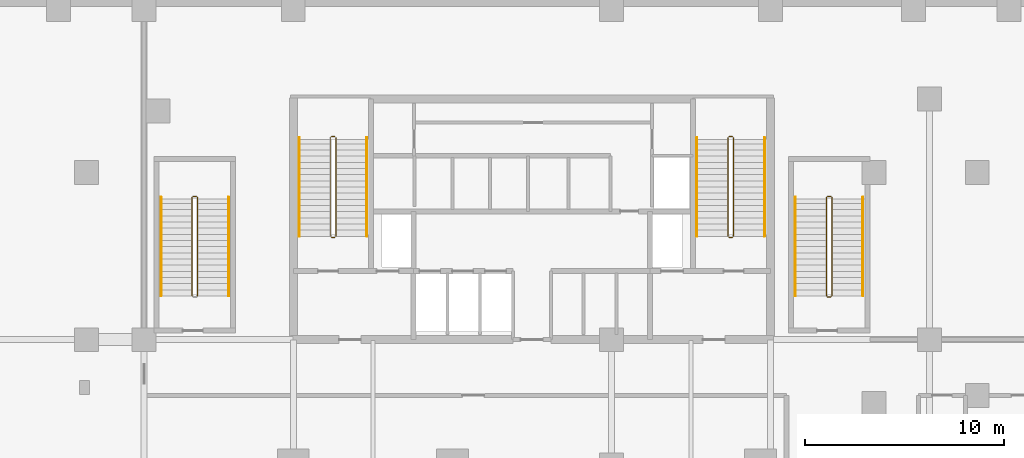
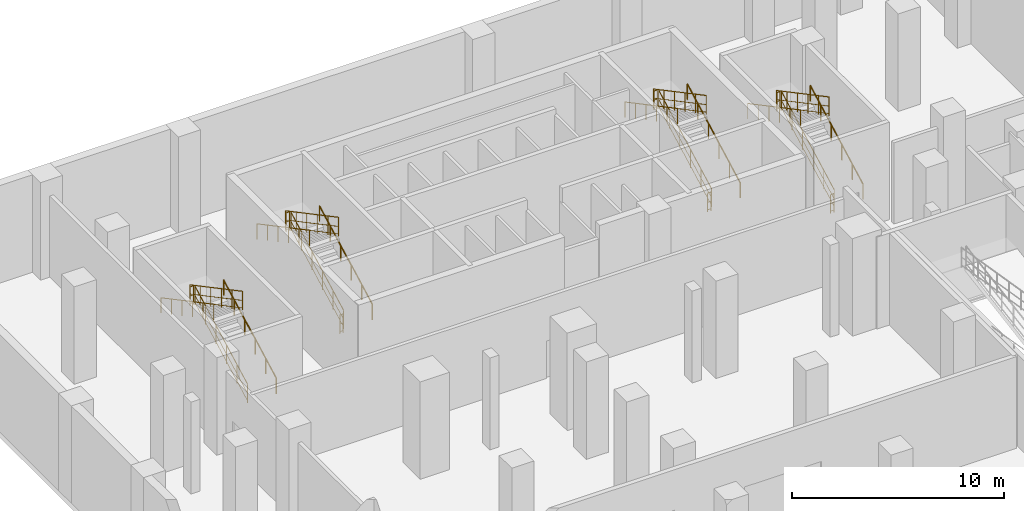
# One storey, part 5 of 5: 23 railings.
"""IFC4 building model written with IfcOpenShell, lengths in metres."""

from ifc_helpers import new_model, si_unit, direction, frame, origin, origin_2d, place, context, subcontext, project, spatial, circle, extrude, material, type_object, element, save


model = new_model("IFC4")

# Units and contexts
model_context = context("Model", 3, precision=1e-05, world=origin(), true_north=direction((0.0, 1.0)))
body_context = subcontext(model_context, "Body", "Model", "MODEL_VIEW")
ifc_project = project(units=[si_unit("LENGTHUNIT", "METRE"), si_unit("AREAUNIT", "SQUARE_METRE"), si_unit("VOLUMEUNIT", "CUBIC_METRE"), si_unit("PLANEANGLEUNIT", "RADIAN"), si_unit("MASSUNIT", "GRAM", prefix="KILO")], contexts=[model_context])

# Site, building, storey
site_placement = place(None, origin())
site = spatial("IfcSite", under=ifc_project, at=site_placement, CompositionType="ELEMENT")
building_placement = place(site_placement, origin())
building = spatial("IfcBuilding", under=site, at=building_placement, Name="Catumbela Crestline Tower", CompositionType="ELEMENT")
storey_placement = place(building_placement, frame((0.0, 0.0, -5.6)))
storey = spatial("IfcBuildingStorey", under=building, at=storey_placement, Name="B01", CompositionType="ELEMENT", Elevation=-5.6)

# Railings
ifc_material = material(Name="Stainless steel EN 1.4401", Category="steel")
railing_type_1 = type_object("IfcRailingType", Name="RG-1100", PredefinedType="GUARDRAIL", material=ifc_material)
railing_1_placement = place(storey_placement, frame((18.14, 36.0, 0.1647)))
element("IfcRailing", 1, at=railing_1_placement, inside=storey, type_object=railing_type_1, Name="B01 ST-01 stair guard 1", PredefinedType="GUARDRAIL", context=body_context, shape_type="SweptSolid", body=[
    extrude(circle(Radius=0.024, at=origin_2d()), frame((0.0, 0.0, 1.076), z_axis=(0.0, 0.883093588522, 0.469196881821), x_axis=(-1.0, 0.0, 0.0)), (0.0, 0.0, 1.0), 5.6166),
    extrude(circle(Radius=0.0156, at=origin_2d()), frame((0.0, 0.0, 0.55), z_axis=(0.0, 0.883093588522, 0.469196881821), x_axis=(-1.0, 0.0, 0.0)), (0.0, 0.0, 1.0), 5.6166),
    extrude(circle(Radius=0.0156, at=origin_2d()), frame((0.0, 0.0, 0.12), z_axis=(0.0, 0.883093588522, 0.469196881821), x_axis=(-1.0, 0.0, 0.0)), (0.0, 0.0, 1.0), 5.6166),
    extrude(circle(Radius=0.021, at=origin_2d()), origin(), (0.0, 0.0, 1.0), 1.052),
    extrude(circle(Radius=0.021, at=origin_2d()), frame((0.0, 0.992, 0.5271)), (0.0, 0.0, 1.0), 1.052),
    extrude(circle(Radius=0.021, at=origin_2d()), frame((0.0, 1.984, 1.0541)), (0.0, 0.0, 1.0), 1.052),
    extrude(circle(Radius=0.021, at=origin_2d()), frame((0.0, 2.976, 1.5812)), (0.0, 0.0, 1.0), 1.052),
    extrude(circle(Radius=0.021, at=origin_2d()), frame((0.0, 3.968, 2.1082)), (0.0, 0.0, 1.0), 1.052),
    extrude(circle(Radius=0.021, at=origin_2d()), frame((0.0, 4.96, 2.6353)), (0.0, 0.0, 1.0), 1.052),
])
railing_2_placement = place(storey_placement, frame((18.09, 41.01, 2.8)))
element("IfcRailing", 2, at=railing_2_placement, inside=storey, type_object=railing_type_1, Name="B01 ST-01 stair guard 2", PredefinedType="GUARDRAIL", context=body_context, shape_type="SweptSolid", body=[
    extrude(circle(Radius=0.024, at=origin_2d()), frame((0.0, 0.0, 1.076), z_axis=(-1.0, 0.0, 0.0), x_axis=(0.0, -1.0, 0.0)), (0.0, 0.0, 1.0), 0.18),
    extrude(circle(Radius=0.0156, at=origin_2d()), frame((0.0, 0.0, 0.55), z_axis=(-1.0, 0.0, 0.0), x_axis=(0.0, -1.0, 0.0)), (0.0, 0.0, 1.0), 0.18),
    extrude(circle(Radius=0.0156, at=origin_2d()), frame((0.0, 0.0, 0.12), z_axis=(-1.0, 0.0, 0.0), x_axis=(0.0, -1.0, 0.0)), (0.0, 0.0, 1.0), 0.18),
    extrude(circle(Radius=0.021, at=origin_2d()), origin(), (0.0, 0.0, 1.0), 1.052),
    extrude(circle(Radius=0.021, at=origin_2d()), frame((-0.18, 0.0, 0.0)), (0.0, 0.0, 1.0), 1.052),
])
railing_3_placement = place(storey_placement, frame((17.86, 40.96, 2.9647)))
element("IfcRailing", 3, at=railing_3_placement, inside=storey, type_object=railing_type_1, Name="B01 ST-01 stair guard 3", PredefinedType="GUARDRAIL", context=body_context, shape_type="SweptSolid", body=[
    extrude(circle(Radius=0.024, at=origin_2d()), frame((0.0, 0.0, 1.076), z_axis=(0.0, -0.883093588522, 0.469196881821), x_axis=(1.0, 0.0, 0.0)), (0.0, 0.0, 1.0), 5.6166),
    extrude(circle(Radius=0.0156, at=origin_2d()), frame((0.0, 0.0, 0.55), z_axis=(0.0, -0.883093588522, 0.469196881821), x_axis=(1.0, 0.0, 0.0)), (0.0, 0.0, 1.0), 5.6166),
    extrude(circle(Radius=0.0156, at=origin_2d()), frame((0.0, 0.0, 0.12), z_axis=(0.0, -0.883093588522, 0.469196881821), x_axis=(1.0, 0.0, 0.0)), (0.0, 0.0, 1.0), 5.6166),
    extrude(circle(Radius=0.021, at=origin_2d()), origin(), (0.0, 0.0, 1.0), 1.052),
    extrude(circle(Radius=0.021, at=origin_2d()), frame((0.0, -0.992, 0.5271)), (0.0, 0.0, 1.0), 1.052),
    extrude(circle(Radius=0.021, at=origin_2d()), frame((0.0, -1.984, 1.0541)), (0.0, 0.0, 1.0), 1.052),
    extrude(circle(Radius=0.021, at=origin_2d()), frame((0.0, -2.976, 1.5812)), (0.0, 0.0, 1.0), 1.052),
    extrude(circle(Radius=0.021, at=origin_2d()), frame((0.0, -3.968, 2.1082)), (0.0, 0.0, 1.0), 1.052),
    extrude(circle(Radius=0.021, at=origin_2d()), frame((0.0, -4.96, 2.6353)), (0.0, 0.0, 1.0), 1.052),
])
railing_4_placement = place(storey_placement, frame((18.09, 35.95, 0.0)))
element("IfcRailing", 4, at=railing_4_placement, inside=storey, type_object=railing_type_1, Name="B01 ST-01 stair guard 4", PredefinedType="GUARDRAIL", context=body_context, shape_type="SweptSolid", body=[
    extrude(circle(Radius=0.024, at=origin_2d()), frame((0.0, 0.0, 1.076), z_axis=(-1.0, 0.0, 0.0), x_axis=(0.0, -1.0, 0.0)), (0.0, 0.0, 1.0), 0.18),
    extrude(circle(Radius=0.0156, at=origin_2d()), frame((0.0, 0.0, 0.55), z_axis=(-1.0, 0.0, 0.0), x_axis=(0.0, -1.0, 0.0)), (0.0, 0.0, 1.0), 0.18),
    extrude(circle(Radius=0.0156, at=origin_2d()), frame((0.0, 0.0, 0.12), z_axis=(-1.0, 0.0, 0.0), x_axis=(0.0, -1.0, 0.0)), (0.0, 0.0, 1.0), 0.18),
    extrude(circle(Radius=0.021, at=origin_2d()), origin(), (0.0, 0.0, 1.0), 1.052),
    extrude(circle(Radius=0.021, at=origin_2d()), frame((-0.18, 0.0, 0.0)), (0.0, 0.0, 1.0), 1.052),
])
railing_5_placement = place(storey_placement, frame((38.14, 36.0, 0.1647)))
element("IfcRailing", 5, at=railing_5_placement, inside=storey, type_object=railing_type_1, Name="B01 ST-02 stair guard 1", PredefinedType="GUARDRAIL", context=body_context, shape_type="SweptSolid", body=[
    extrude(circle(Radius=0.024, at=origin_2d()), frame((0.0, 0.0, 1.076), z_axis=(0.0, 0.883093588522, 0.469196881821), x_axis=(-1.0, 0.0, 0.0)), (0.0, 0.0, 1.0), 5.6166),
    extrude(circle(Radius=0.0156, at=origin_2d()), frame((0.0, 0.0, 0.55), z_axis=(0.0, 0.883093588522, 0.469196881821), x_axis=(-1.0, 0.0, 0.0)), (0.0, 0.0, 1.0), 5.6166),
    extrude(circle(Radius=0.0156, at=origin_2d()), frame((0.0, 0.0, 0.12), z_axis=(0.0, 0.883093588522, 0.469196881821), x_axis=(-1.0, 0.0, 0.0)), (0.0, 0.0, 1.0), 5.6166),
    extrude(circle(Radius=0.021, at=origin_2d()), origin(), (0.0, 0.0, 1.0), 1.052),
    extrude(circle(Radius=0.021, at=origin_2d()), frame((0.0, 0.992, 0.5271)), (0.0, 0.0, 1.0), 1.052),
    extrude(circle(Radius=0.021, at=origin_2d()), frame((0.0, 1.984, 1.0541)), (0.0, 0.0, 1.0), 1.052),
    extrude(circle(Radius=0.021, at=origin_2d()), frame((0.0, 2.976, 1.5812)), (0.0, 0.0, 1.0), 1.052),
    extrude(circle(Radius=0.021, at=origin_2d()), frame((0.0, 3.968, 2.1082)), (0.0, 0.0, 1.0), 1.052),
    extrude(circle(Radius=0.021, at=origin_2d()), frame((0.0, 4.96, 2.6353)), (0.0, 0.0, 1.0), 1.052),
])
railing_6_placement = place(storey_placement, frame((38.09, 41.01, 2.8)))
element("IfcRailing", 6, at=railing_6_placement, inside=storey, type_object=railing_type_1, Name="B01 ST-02 stair guard 2", PredefinedType="GUARDRAIL", context=body_context, shape_type="SweptSolid", body=[
    extrude(circle(Radius=0.024, at=origin_2d()), frame((0.0, 0.0, 1.076), z_axis=(-1.0, 0.0, 0.0), x_axis=(0.0, -1.0, 0.0)), (0.0, 0.0, 1.0), 0.18),
    extrude(circle(Radius=0.0156, at=origin_2d()), frame((0.0, 0.0, 0.55), z_axis=(-1.0, 0.0, 0.0), x_axis=(0.0, -1.0, 0.0)), (0.0, 0.0, 1.0), 0.18),
    extrude(circle(Radius=0.0156, at=origin_2d()), frame((0.0, 0.0, 0.12), z_axis=(-1.0, 0.0, 0.0), x_axis=(0.0, -1.0, 0.0)), (0.0, 0.0, 1.0), 0.18),
    extrude(circle(Radius=0.021, at=origin_2d()), origin(), (0.0, 0.0, 1.0), 1.052),
    extrude(circle(Radius=0.021, at=origin_2d()), frame((-0.18, 0.0, 0.0)), (0.0, 0.0, 1.0), 1.052),
])
railing_7_placement = place(storey_placement, frame((37.86, 40.96, 2.9647)))
element("IfcRailing", 7, at=railing_7_placement, inside=storey, type_object=railing_type_1, Name="B01 ST-02 stair guard 3", PredefinedType="GUARDRAIL", context=body_context, shape_type="SweptSolid", body=[
    extrude(circle(Radius=0.024, at=origin_2d()), frame((0.0, 0.0, 1.076), z_axis=(0.0, -0.883093588522, 0.469196881821), x_axis=(1.0, 0.0, 0.0)), (0.0, 0.0, 1.0), 5.6166),
    extrude(circle(Radius=0.0156, at=origin_2d()), frame((0.0, 0.0, 0.55), z_axis=(0.0, -0.883093588522, 0.469196881821), x_axis=(1.0, 0.0, 0.0)), (0.0, 0.0, 1.0), 5.6166),
    extrude(circle(Radius=0.0156, at=origin_2d()), frame((0.0, 0.0, 0.12), z_axis=(0.0, -0.883093588522, 0.469196881821), x_axis=(1.0, 0.0, 0.0)), (0.0, 0.0, 1.0), 5.6166),
    extrude(circle(Radius=0.021, at=origin_2d()), origin(), (0.0, 0.0, 1.0), 1.052),
    extrude(circle(Radius=0.021, at=origin_2d()), frame((0.0, -0.992, 0.5271)), (0.0, 0.0, 1.0), 1.052),
    extrude(circle(Radius=0.021, at=origin_2d()), frame((0.0, -1.984, 1.0541)), (0.0, 0.0, 1.0), 1.052),
    extrude(circle(Radius=0.021, at=origin_2d()), frame((0.0, -2.976, 1.5812)), (0.0, 0.0, 1.0), 1.052),
    extrude(circle(Radius=0.021, at=origin_2d()), frame((0.0, -3.968, 2.1082)), (0.0, 0.0, 1.0), 1.052),
    extrude(circle(Radius=0.021, at=origin_2d()), frame((0.0, -4.96, 2.6353)), (0.0, 0.0, 1.0), 1.052),
])
railing_8_placement = place(storey_placement, frame((38.09, 35.95, 0.0)))
element("IfcRailing", 8, at=railing_8_placement, inside=storey, type_object=railing_type_1, Name="B01 ST-02 stair guard 4", PredefinedType="GUARDRAIL", context=body_context, shape_type="SweptSolid", body=[
    extrude(circle(Radius=0.024, at=origin_2d()), frame((0.0, 0.0, 1.076), z_axis=(-1.0, 0.0, 0.0), x_axis=(0.0, -1.0, 0.0)), (0.0, 0.0, 1.0), 0.18),
    extrude(circle(Radius=0.0156, at=origin_2d()), frame((0.0, 0.0, 0.55), z_axis=(-1.0, 0.0, 0.0), x_axis=(0.0, -1.0, 0.0)), (0.0, 0.0, 1.0), 0.18),
    extrude(circle(Radius=0.0156, at=origin_2d()), frame((0.0, 0.0, 0.12), z_axis=(-1.0, 0.0, 0.0), x_axis=(0.0, -1.0, 0.0)), (0.0, 0.0, 1.0), 0.18),
    extrude(circle(Radius=0.021, at=origin_2d()), origin(), (0.0, 0.0, 1.0), 1.052),
    extrude(circle(Radius=0.021, at=origin_2d()), frame((-0.18, 0.0, 0.0)), (0.0, 0.0, 1.0), 1.052),
])
railing_9_placement = place(storey_placement, frame((11.19, 33.0, 0.1647)))
element("IfcRailing", 9, at=railing_9_placement, inside=storey, type_object=railing_type_1, Name="B01 ST-03 stair guard 1", PredefinedType="GUARDRAIL", context=body_context, shape_type="SweptSolid", body=[
    extrude(circle(Radius=0.024, at=origin_2d()), frame((0.0, 0.0, 1.076), z_axis=(0.0, 0.883093588522, 0.469196881821), x_axis=(-1.0, 0.0, 0.0)), (0.0, 0.0, 1.0), 5.6166),
    extrude(circle(Radius=0.0156, at=origin_2d()), frame((0.0, 0.0, 0.55), z_axis=(0.0, 0.883093588522, 0.469196881821), x_axis=(-1.0, 0.0, 0.0)), (0.0, 0.0, 1.0), 5.6166),
    extrude(circle(Radius=0.0156, at=origin_2d()), frame((0.0, 0.0, 0.12), z_axis=(0.0, 0.883093588522, 0.469196881821), x_axis=(-1.0, 0.0, 0.0)), (0.0, 0.0, 1.0), 5.6166),
    extrude(circle(Radius=0.021, at=origin_2d()), origin(), (0.0, 0.0, 1.0), 1.052),
    extrude(circle(Radius=0.021, at=origin_2d()), frame((0.0, 0.992, 0.5271)), (0.0, 0.0, 1.0), 1.052),
    extrude(circle(Radius=0.021, at=origin_2d()), frame((0.0, 1.984, 1.0541)), (0.0, 0.0, 1.0), 1.052),
    extrude(circle(Radius=0.021, at=origin_2d()), frame((0.0, 2.976, 1.5812)), (0.0, 0.0, 1.0), 1.052),
    extrude(circle(Radius=0.021, at=origin_2d()), frame((0.0, 3.968, 2.1082)), (0.0, 0.0, 1.0), 1.052),
    extrude(circle(Radius=0.021, at=origin_2d()), frame((0.0, 4.96, 2.6353)), (0.0, 0.0, 1.0), 1.052),
])
railing_10_placement = place(storey_placement, frame((11.14, 38.01, 2.8)))
element("IfcRailing", 10, at=railing_10_placement, inside=storey, type_object=railing_type_1, Name="B01 ST-03 stair guard 2", PredefinedType="GUARDRAIL", context=body_context, shape_type="SweptSolid", body=[
    extrude(circle(Radius=0.024, at=origin_2d()), frame((0.0, 0.0, 1.076), z_axis=(-1.0, 0.0, 0.0), x_axis=(0.0, -1.0, 0.0)), (0.0, 0.0, 1.0), 0.18),
    extrude(circle(Radius=0.0156, at=origin_2d()), frame((0.0, 0.0, 0.55), z_axis=(-1.0, 0.0, 0.0), x_axis=(0.0, -1.0, 0.0)), (0.0, 0.0, 1.0), 0.18),
    extrude(circle(Radius=0.0156, at=origin_2d()), frame((0.0, 0.0, 0.12), z_axis=(-1.0, 0.0, 0.0), x_axis=(0.0, -1.0, 0.0)), (0.0, 0.0, 1.0), 0.18),
    extrude(circle(Radius=0.021, at=origin_2d()), origin(), (0.0, 0.0, 1.0), 1.052),
    extrude(circle(Radius=0.021, at=origin_2d()), frame((-0.18, 0.0, 0.0)), (0.0, 0.0, 1.0), 1.052),
])
railing_11_placement = place(storey_placement, frame((10.91, 37.96, 2.9647)))
element("IfcRailing", 11, at=railing_11_placement, inside=storey, type_object=railing_type_1, Name="B01 ST-03 stair guard 3", PredefinedType="GUARDRAIL", context=body_context, shape_type="SweptSolid", body=[
    extrude(circle(Radius=0.024, at=origin_2d()), frame((0.0, 0.0, 1.076), z_axis=(0.0, -0.883093588522, 0.469196881821), x_axis=(1.0, 0.0, 0.0)), (0.0, 0.0, 1.0), 5.6166),
    extrude(circle(Radius=0.0156, at=origin_2d()), frame((0.0, 0.0, 0.55), z_axis=(0.0, -0.883093588522, 0.469196881821), x_axis=(1.0, 0.0, 0.0)), (0.0, 0.0, 1.0), 5.6166),
    extrude(circle(Radius=0.0156, at=origin_2d()), frame((0.0, 0.0, 0.12), z_axis=(0.0, -0.883093588522, 0.469196881821), x_axis=(1.0, 0.0, 0.0)), (0.0, 0.0, 1.0), 5.6166),
    extrude(circle(Radius=0.021, at=origin_2d()), origin(), (0.0, 0.0, 1.0), 1.052),
    extrude(circle(Radius=0.021, at=origin_2d()), frame((0.0, -0.992, 0.5271)), (0.0, 0.0, 1.0), 1.052),
    extrude(circle(Radius=0.021, at=origin_2d()), frame((0.0, -1.984, 1.0541)), (0.0, 0.0, 1.0), 1.052),
    extrude(circle(Radius=0.021, at=origin_2d()), frame((0.0, -2.976, 1.5812)), (0.0, 0.0, 1.0), 1.052),
    extrude(circle(Radius=0.021, at=origin_2d()), frame((0.0, -3.968, 2.1082)), (0.0, 0.0, 1.0), 1.052),
    extrude(circle(Radius=0.021, at=origin_2d()), frame((0.0, -4.96, 2.6353)), (0.0, 0.0, 1.0), 1.052),
])
railing_12_placement = place(storey_placement, frame((43.09, 33.0, 0.1647)))
element("IfcRailing", 12, at=railing_12_placement, inside=storey, type_object=railing_type_1, Name="B01 ST-04 stair guard 1", PredefinedType="GUARDRAIL", context=body_context, shape_type="SweptSolid", body=[
    extrude(circle(Radius=0.024, at=origin_2d()), frame((0.0, 0.0, 1.076), z_axis=(0.0, 0.883093588522, 0.469196881821), x_axis=(-1.0, 0.0, 0.0)), (0.0, 0.0, 1.0), 5.6166),
    extrude(circle(Radius=0.0156, at=origin_2d()), frame((0.0, 0.0, 0.55), z_axis=(0.0, 0.883093588522, 0.469196881821), x_axis=(-1.0, 0.0, 0.0)), (0.0, 0.0, 1.0), 5.6166),
    extrude(circle(Radius=0.0156, at=origin_2d()), frame((0.0, 0.0, 0.12), z_axis=(0.0, 0.883093588522, 0.469196881821), x_axis=(-1.0, 0.0, 0.0)), (0.0, 0.0, 1.0), 5.6166),
    extrude(circle(Radius=0.021, at=origin_2d()), origin(), (0.0, 0.0, 1.0), 1.052),
    extrude(circle(Radius=0.021, at=origin_2d()), frame((0.0, 0.992, 0.5271)), (0.0, 0.0, 1.0), 1.052),
    extrude(circle(Radius=0.021, at=origin_2d()), frame((0.0, 1.984, 1.0541)), (0.0, 0.0, 1.0), 1.052),
    extrude(circle(Radius=0.021, at=origin_2d()), frame((0.0, 2.976, 1.5812)), (0.0, 0.0, 1.0), 1.052),
    extrude(circle(Radius=0.021, at=origin_2d()), frame((0.0, 3.968, 2.1082)), (0.0, 0.0, 1.0), 1.052),
    extrude(circle(Radius=0.021, at=origin_2d()), frame((0.0, 4.96, 2.6353)), (0.0, 0.0, 1.0), 1.052),
])
railing_13_placement = place(storey_placement, frame((43.04, 38.01, 2.8)))
element("IfcRailing", 13, at=railing_13_placement, inside=storey, type_object=railing_type_1, Name="B01 ST-04 stair guard 2", PredefinedType="GUARDRAIL", context=body_context, shape_type="SweptSolid", body=[
    extrude(circle(Radius=0.024, at=origin_2d()), frame((0.0, 0.0, 1.076), z_axis=(-1.0, 0.0, 0.0), x_axis=(0.0, -1.0, 0.0)), (0.0, 0.0, 1.0), 0.18),
    extrude(circle(Radius=0.0156, at=origin_2d()), frame((0.0, 0.0, 0.55), z_axis=(-1.0, 0.0, 0.0), x_axis=(0.0, -1.0, 0.0)), (0.0, 0.0, 1.0), 0.18),
    extrude(circle(Radius=0.0156, at=origin_2d()), frame((0.0, 0.0, 0.12), z_axis=(-1.0, 0.0, 0.0), x_axis=(0.0, -1.0, 0.0)), (0.0, 0.0, 1.0), 0.18),
    extrude(circle(Radius=0.021, at=origin_2d()), origin(), (0.0, 0.0, 1.0), 1.052),
    extrude(circle(Radius=0.021, at=origin_2d()), frame((-0.18, 0.0, 0.0)), (0.0, 0.0, 1.0), 1.052),
])
railing_14_placement = place(storey_placement, frame((42.81, 37.96, 2.9647)))
element("IfcRailing", 14, at=railing_14_placement, inside=storey, type_object=railing_type_1, Name="B01 ST-04 stair guard 3", PredefinedType="GUARDRAIL", context=body_context, shape_type="SweptSolid", body=[
    extrude(circle(Radius=0.024, at=origin_2d()), frame((0.0, 0.0, 1.076), z_axis=(0.0, -0.883093588522, 0.469196881821), x_axis=(1.0, 0.0, 0.0)), (0.0, 0.0, 1.0), 5.6166),
    extrude(circle(Radius=0.0156, at=origin_2d()), frame((0.0, 0.0, 0.55), z_axis=(0.0, -0.883093588522, 0.469196881821), x_axis=(1.0, 0.0, 0.0)), (0.0, 0.0, 1.0), 5.6166),
    extrude(circle(Radius=0.0156, at=origin_2d()), frame((0.0, 0.0, 0.12), z_axis=(0.0, -0.883093588522, 0.469196881821), x_axis=(1.0, 0.0, 0.0)), (0.0, 0.0, 1.0), 5.6166),
    extrude(circle(Radius=0.021, at=origin_2d()), origin(), (0.0, 0.0, 1.0), 1.052),
    extrude(circle(Radius=0.021, at=origin_2d()), frame((0.0, -0.992, 0.5271)), (0.0, 0.0, 1.0), 1.052),
    extrude(circle(Radius=0.021, at=origin_2d()), frame((0.0, -1.984, 1.0541)), (0.0, 0.0, 1.0), 1.052),
    extrude(circle(Radius=0.021, at=origin_2d()), frame((0.0, -2.976, 1.5812)), (0.0, 0.0, 1.0), 1.052),
    extrude(circle(Radius=0.021, at=origin_2d()), frame((0.0, -3.968, 2.1082)), (0.0, 0.0, 1.0), 1.052),
    extrude(circle(Radius=0.021, at=origin_2d()), frame((0.0, -4.96, 2.6353)), (0.0, 0.0, 1.0), 1.052),
])
railing_15_placement = place(storey_placement, frame((43.04, 32.95, 0.0)))
element("IfcRailing", 15, at=railing_15_placement, inside=storey, type_object=railing_type_1, Name="B01 ST-04 stair guard 4", PredefinedType="GUARDRAIL", context=body_context, shape_type="SweptSolid", body=[
    extrude(circle(Radius=0.024, at=origin_2d()), frame((0.0, 0.0, 1.076), z_axis=(-1.0, 0.0, 0.0), x_axis=(0.0, -1.0, 0.0)), (0.0, 0.0, 1.0), 0.18),
    extrude(circle(Radius=0.0156, at=origin_2d()), frame((0.0, 0.0, 0.55), z_axis=(-1.0, 0.0, 0.0), x_axis=(0.0, -1.0, 0.0)), (0.0, 0.0, 1.0), 0.18),
    extrude(circle(Radius=0.0156, at=origin_2d()), frame((0.0, 0.0, 0.12), z_axis=(-1.0, 0.0, 0.0), x_axis=(0.0, -1.0, 0.0)), (0.0, 0.0, 1.0), 0.18),
    extrude(circle(Radius=0.021, at=origin_2d()), origin(), (0.0, 0.0, 1.0), 1.052),
    extrude(circle(Radius=0.021, at=origin_2d()), frame((-0.18, 0.0, 0.0)), (0.0, 0.0, 1.0), 1.052),
])
railing_type_2 = type_object("IfcRailingType", Name="RH-0900", PredefinedType="HANDRAIL", material=ifc_material)
railing_16_placement = place(storey_placement, frame((19.7, 36.0, 0.1647)))
element("IfcRailing", 16, at=railing_16_placement, inside=storey, type_object=railing_type_2, Name="B01 ST-01 stair handrail 1", PredefinedType="HANDRAIL", context=body_context, shape_type="SweptSolid", body=[
    extrude(circle(Radius=0.024, at=origin_2d()), frame((0.0, 0.0, 0.876), z_axis=(0.0, 0.883093588522, 0.469196881821), x_axis=(-1.0, 0.0, 0.0)), (0.0, 0.0, 1.0), 5.6166),
    extrude(circle(Radius=0.021, at=origin_2d()), origin(), (0.0, 0.0, 1.0), 0.852),
    extrude(circle(Radius=0.021, at=origin_2d()), frame((0.0, 0.992, 0.5271)), (0.0, 0.0, 1.0), 0.852),
    extrude(circle(Radius=0.021, at=origin_2d()), frame((0.0, 1.984, 1.0541)), (0.0, 0.0, 1.0), 0.852),
    extrude(circle(Radius=0.021, at=origin_2d()), frame((0.0, 2.976, 1.5812)), (0.0, 0.0, 1.0), 0.852),
    extrude(circle(Radius=0.021, at=origin_2d()), frame((0.0, 3.968, 2.1082)), (0.0, 0.0, 1.0), 0.852),
    extrude(circle(Radius=0.021, at=origin_2d()), frame((0.0, 4.96, 2.6353)), (0.0, 0.0, 1.0), 0.852),
])
railing_17_placement = place(storey_placement, frame((16.3, 40.96, 2.9647)))
element("IfcRailing", 17, at=railing_17_placement, inside=storey, type_object=railing_type_2, Name="B01 ST-01 stair handrail 2", PredefinedType="HANDRAIL", context=body_context, shape_type="SweptSolid", body=[
    extrude(circle(Radius=0.024, at=origin_2d()), frame((0.0, 0.0, 0.876), z_axis=(0.0, -0.883093588522, 0.469196881821), x_axis=(1.0, 0.0, 0.0)), (0.0, 0.0, 1.0), 5.6166),
    extrude(circle(Radius=0.021, at=origin_2d()), origin(), (0.0, 0.0, 1.0), 0.852),
    extrude(circle(Radius=0.021, at=origin_2d()), frame((0.0, -0.992, 0.5271)), (0.0, 0.0, 1.0), 0.852),
    extrude(circle(Radius=0.021, at=origin_2d()), frame((0.0, -1.984, 1.0541)), (0.0, 0.0, 1.0), 0.852),
    extrude(circle(Radius=0.021, at=origin_2d()), frame((0.0, -2.976, 1.5812)), (0.0, 0.0, 1.0), 0.852),
    extrude(circle(Radius=0.021, at=origin_2d()), frame((0.0, -3.968, 2.1082)), (0.0, 0.0, 1.0), 0.852),
    extrude(circle(Radius=0.021, at=origin_2d()), frame((0.0, -4.96, 2.6353)), (0.0, 0.0, 1.0), 0.852),
])
railing_18_placement = place(storey_placement, frame((39.7, 36.0, 0.1647)))
element("IfcRailing", 18, at=railing_18_placement, inside=storey, type_object=railing_type_2, Name="B01 ST-02 stair handrail 1", PredefinedType="HANDRAIL", context=body_context, shape_type="SweptSolid", body=[
    extrude(circle(Radius=0.024, at=origin_2d()), frame((0.0, 0.0, 0.876), z_axis=(0.0, 0.883093588522, 0.469196881821), x_axis=(-1.0, 0.0, 0.0)), (0.0, 0.0, 1.0), 5.6166),
    extrude(circle(Radius=0.021, at=origin_2d()), origin(), (0.0, 0.0, 1.0), 0.852),
    extrude(circle(Radius=0.021, at=origin_2d()), frame((0.0, 0.992, 0.5271)), (0.0, 0.0, 1.0), 0.852),
    extrude(circle(Radius=0.021, at=origin_2d()), frame((0.0, 1.984, 1.0541)), (0.0, 0.0, 1.0), 0.852),
    extrude(circle(Radius=0.021, at=origin_2d()), frame((0.0, 2.976, 1.5812)), (0.0, 0.0, 1.0), 0.852),
    extrude(circle(Radius=0.021, at=origin_2d()), frame((0.0, 3.968, 2.1082)), (0.0, 0.0, 1.0), 0.852),
    extrude(circle(Radius=0.021, at=origin_2d()), frame((0.0, 4.96, 2.6353)), (0.0, 0.0, 1.0), 0.852),
])
railing_19_placement = place(storey_placement, frame((36.3, 40.96, 2.9647)))
element("IfcRailing", 19, at=railing_19_placement, inside=storey, type_object=railing_type_2, Name="B01 ST-02 stair handrail 2", PredefinedType="HANDRAIL", context=body_context, shape_type="SweptSolid", body=[
    extrude(circle(Radius=0.024, at=origin_2d()), frame((0.0, 0.0, 0.876), z_axis=(0.0, -0.883093588522, 0.469196881821), x_axis=(1.0, 0.0, 0.0)), (0.0, 0.0, 1.0), 5.6166),
    extrude(circle(Radius=0.021, at=origin_2d()), origin(), (0.0, 0.0, 1.0), 0.852),
    extrude(circle(Radius=0.021, at=origin_2d()), frame((0.0, -0.992, 0.5271)), (0.0, 0.0, 1.0), 0.852),
    extrude(circle(Radius=0.021, at=origin_2d()), frame((0.0, -1.984, 1.0541)), (0.0, 0.0, 1.0), 0.852),
    extrude(circle(Radius=0.021, at=origin_2d()), frame((0.0, -2.976, 1.5812)), (0.0, 0.0, 1.0), 0.852),
    extrude(circle(Radius=0.021, at=origin_2d()), frame((0.0, -3.968, 2.1082)), (0.0, 0.0, 1.0), 0.852),
    extrude(circle(Radius=0.021, at=origin_2d()), frame((0.0, -4.96, 2.6353)), (0.0, 0.0, 1.0), 0.852),
])
railing_20_placement = place(storey_placement, frame((12.75, 33.0, 0.1647)))
element("IfcRailing", 20, at=railing_20_placement, inside=storey, type_object=railing_type_2, Name="B01 ST-03 stair handrail 1", PredefinedType="HANDRAIL", context=body_context, shape_type="SweptSolid", body=[
    extrude(circle(Radius=0.024, at=origin_2d()), frame((0.0, 0.0, 0.876), z_axis=(0.0, 0.883093588522, 0.469196881821), x_axis=(-1.0, 0.0, 0.0)), (0.0, 0.0, 1.0), 5.6166),
    extrude(circle(Radius=0.021, at=origin_2d()), origin(), (0.0, 0.0, 1.0), 0.852),
    extrude(circle(Radius=0.021, at=origin_2d()), frame((0.0, 0.992, 0.5271)), (0.0, 0.0, 1.0), 0.852),
    extrude(circle(Radius=0.021, at=origin_2d()), frame((0.0, 1.984, 1.0541)), (0.0, 0.0, 1.0), 0.852),
    extrude(circle(Radius=0.021, at=origin_2d()), frame((0.0, 2.976, 1.5812)), (0.0, 0.0, 1.0), 0.852),
    extrude(circle(Radius=0.021, at=origin_2d()), frame((0.0, 3.968, 2.1082)), (0.0, 0.0, 1.0), 0.852),
    extrude(circle(Radius=0.021, at=origin_2d()), frame((0.0, 4.96, 2.6353)), (0.0, 0.0, 1.0), 0.852),
])
railing_21_placement = place(storey_placement, frame((9.35, 37.96, 2.9647)))
element("IfcRailing", 21, at=railing_21_placement, inside=storey, type_object=railing_type_2, Name="B01 ST-03 stair handrail 2", PredefinedType="HANDRAIL", context=body_context, shape_type="SweptSolid", body=[
    extrude(circle(Radius=0.024, at=origin_2d()), frame((0.0, 0.0, 0.876), z_axis=(0.0, -0.883093588522, 0.469196881821), x_axis=(1.0, 0.0, 0.0)), (0.0, 0.0, 1.0), 5.6166),
    extrude(circle(Radius=0.021, at=origin_2d()), origin(), (0.0, 0.0, 1.0), 0.852),
    extrude(circle(Radius=0.021, at=origin_2d()), frame((0.0, -0.992, 0.5271)), (0.0, 0.0, 1.0), 0.852),
    extrude(circle(Radius=0.021, at=origin_2d()), frame((0.0, -1.984, 1.0541)), (0.0, 0.0, 1.0), 0.852),
    extrude(circle(Radius=0.021, at=origin_2d()), frame((0.0, -2.976, 1.5812)), (0.0, 0.0, 1.0), 0.852),
    extrude(circle(Radius=0.021, at=origin_2d()), frame((0.0, -3.968, 2.1082)), (0.0, 0.0, 1.0), 0.852),
    extrude(circle(Radius=0.021, at=origin_2d()), frame((0.0, -4.96, 2.6353)), (0.0, 0.0, 1.0), 0.852),
])
railing_22_placement = place(storey_placement, frame((44.65, 33.0, 0.1647)))
element("IfcRailing", 22, at=railing_22_placement, inside=storey, type_object=railing_type_2, Name="B01 ST-04 stair handrail 1", PredefinedType="HANDRAIL", context=body_context, shape_type="SweptSolid", body=[
    extrude(circle(Radius=0.024, at=origin_2d()), frame((0.0, 0.0, 0.876), z_axis=(0.0, 0.883093588522, 0.469196881821), x_axis=(-1.0, 0.0, 0.0)), (0.0, 0.0, 1.0), 5.6166),
    extrude(circle(Radius=0.021, at=origin_2d()), origin(), (0.0, 0.0, 1.0), 0.852),
    extrude(circle(Radius=0.021, at=origin_2d()), frame((0.0, 0.992, 0.5271)), (0.0, 0.0, 1.0), 0.852),
    extrude(circle(Radius=0.021, at=origin_2d()), frame((0.0, 1.984, 1.0541)), (0.0, 0.0, 1.0), 0.852),
    extrude(circle(Radius=0.021, at=origin_2d()), frame((0.0, 2.976, 1.5812)), (0.0, 0.0, 1.0), 0.852),
    extrude(circle(Radius=0.021, at=origin_2d()), frame((0.0, 3.968, 2.1082)), (0.0, 0.0, 1.0), 0.852),
    extrude(circle(Radius=0.021, at=origin_2d()), frame((0.0, 4.96, 2.6353)), (0.0, 0.0, 1.0), 0.852),
])
railing_23_placement = place(storey_placement, frame((41.25, 37.96, 2.9647)))
element("IfcRailing", 23, at=railing_23_placement, inside=storey, type_object=railing_type_2, Name="B01 ST-04 stair handrail 2", PredefinedType="HANDRAIL", context=body_context, shape_type="SweptSolid", body=[
    extrude(circle(Radius=0.024, at=origin_2d()), frame((0.0, 0.0, 0.876), z_axis=(0.0, -0.883093588522, 0.469196881821), x_axis=(1.0, 0.0, 0.0)), (0.0, 0.0, 1.0), 5.6166),
    extrude(circle(Radius=0.021, at=origin_2d()), origin(), (0.0, 0.0, 1.0), 0.852),
    extrude(circle(Radius=0.021, at=origin_2d()), frame((0.0, -0.992, 0.5271)), (0.0, 0.0, 1.0), 0.852),
    extrude(circle(Radius=0.021, at=origin_2d()), frame((0.0, -1.984, 1.0541)), (0.0, 0.0, 1.0), 0.852),
    extrude(circle(Radius=0.021, at=origin_2d()), frame((0.0, -2.976, 1.5812)), (0.0, 0.0, 1.0), 0.852),
    extrude(circle(Radius=0.021, at=origin_2d()), frame((0.0, -3.968, 2.1082)), (0.0, 0.0, 1.0), 0.852),
    extrude(circle(Radius=0.021, at=origin_2d()), frame((0.0, -4.96, 2.6353)), (0.0, 0.0, 1.0), 0.852),
])

save(model, "model.ifc")
